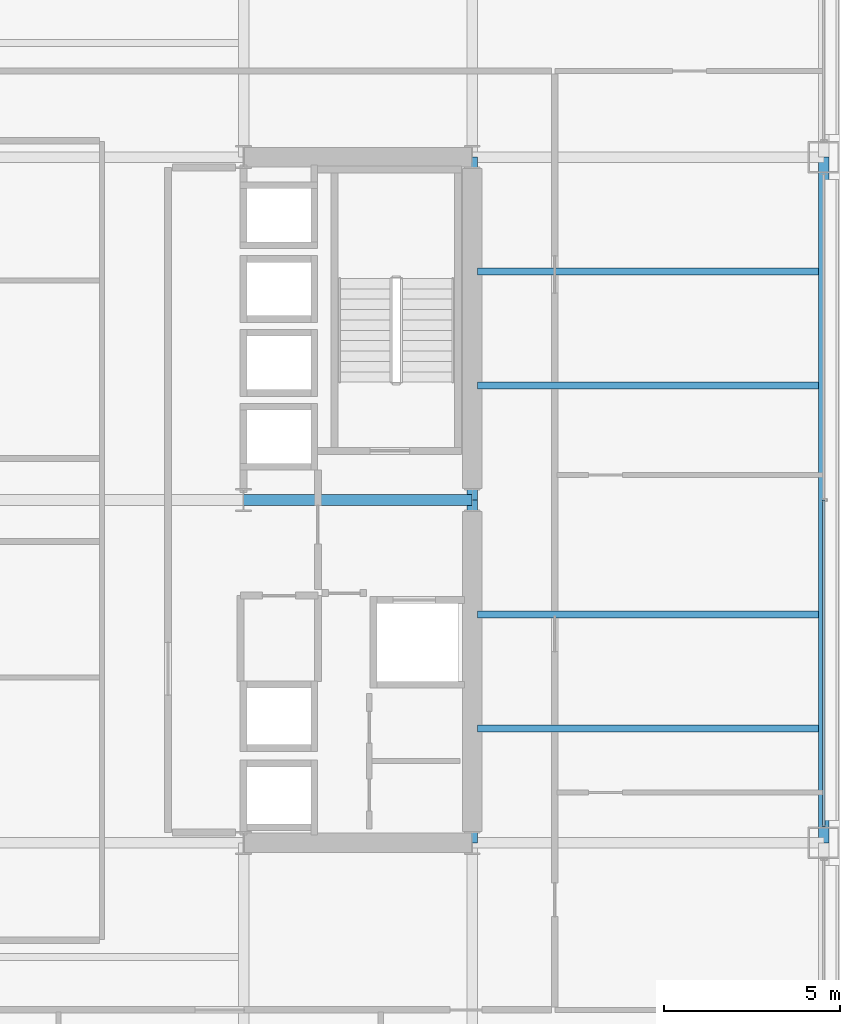
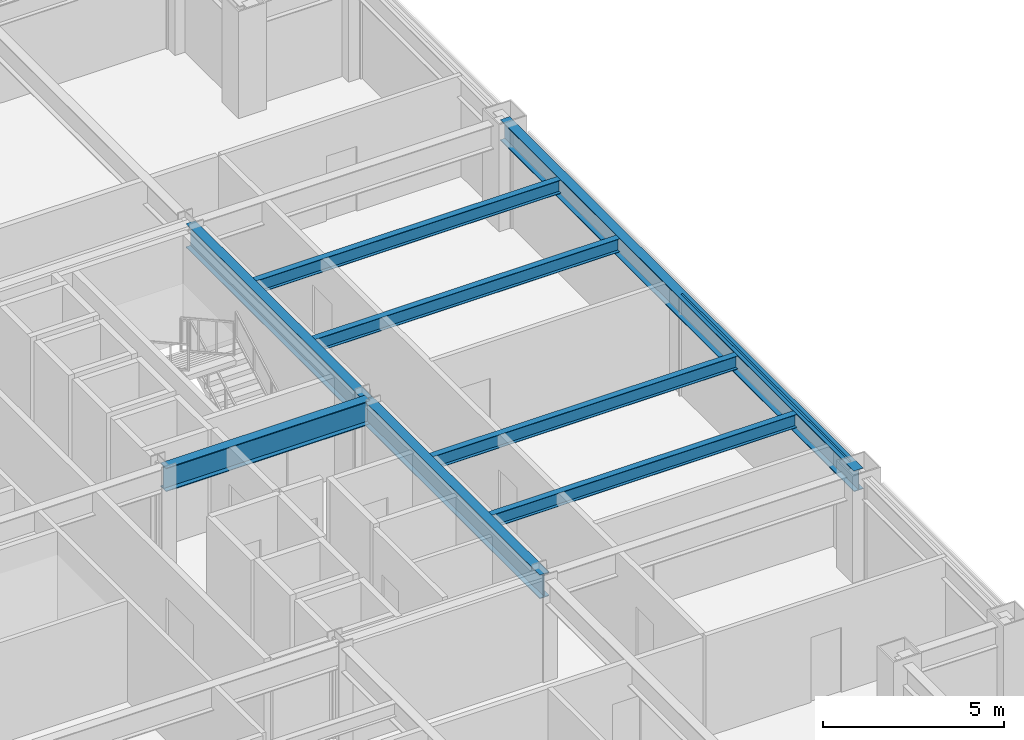
# One storey, part 11 of 29: 8 beams, 1 member, 1 element without a shape of its own.
"""IFC4 building model written with IfcOpenShell, lengths in metres."""

from ifc_helpers import new_model, si_unit, direction, frame, origin, origin_2d, place, context, subcontext, project, spatial, hollow_rectangle, i_section, extrude, material, layer, layer_set, material_profile, profile_set, type_object, element, aggregate, save


model = new_model("IFC4")

# Units and contexts
model_context = context("Model", 3, precision=1e-05, world=origin(), true_north=direction((0.0, 1.0)))
body_context = subcontext(model_context, "Body", "Model", "MODEL_VIEW")
ifc_project = project(units=[si_unit("LENGTHUNIT", "METRE"), si_unit("AREAUNIT", "SQUARE_METRE"), si_unit("VOLUMEUNIT", "CUBIC_METRE"), si_unit("PLANEANGLEUNIT", "RADIAN"), si_unit("MASSUNIT", "GRAM", prefix="KILO")], contexts=[model_context])

# Site, building, storey
site_placement = place(None, origin())
site = spatial("IfcSite", under=ifc_project, at=site_placement, CompositionType="ELEMENT")
building_placement = place(site_placement, origin())
building = spatial("IfcBuilding", under=site, at=building_placement, Name="Brelmoor Portico Tower", CompositionType="ELEMENT")
storey_placement = place(building_placement, frame((0.0, 0.0, 63.60009765625)))
storey = spatial("IfcBuildingStorey", under=building, at=storey_placement, Name="L16", CompositionType="ELEMENT", Elevation=63.60009765625)

# Beams
ifc_material_1 = material(Name="Steel Q355B", Category="steel")
ifc_material_profile_1 = material_profile(ifc_material_1, i_section(OverallWidth=0.199951171875, OverallDepth=0.449951171875, WebThickness=0.009033203125, FlangeThickness=0.013916015625, at=origin_2d()), Name="HN 450x200x9x14")
ifc_profile_set_1 = profile_set([ifc_material_profile_1], Name="Steel Q355B")
beam_type_1 = type_object("IfcBeamType", Name="BM-JS-450", PredefinedType="JOIST", material=ifc_profile_set_1)
for number, where, z_axis, x_axis, name in (
    (1, (14.699951171875, -6.5, 3.1748046875), (1.0, 0.0, 0.0), (0.0, 1.0, 0.0), "L16 Secondary Wing Joist JS-E09"),
    (2, (14.699951171875, -3.25, 3.1748046875), (1.0, 0.0, 0.0), (0.0, 1.0, 0.0), "L16 Secondary Wing Joist JS-E10"),
    (3, (14.699951171875, 3.25, 3.1748046875), (1.0, 0.0, 0.0), (0.0, 1.0, 0.0), "L16 Secondary Wing Joist JS-E11"),
    (4, (14.699951171875, 6.5, 3.1748046875), (1.0, 0.0, 0.0), (0.0, 1.0, 0.0), "L16 Secondary Wing Joist JS-E12"),
):
    element("IfcBeam", number, at=place(storey_placement, frame(where, z_axis=z_axis, x_axis=x_axis)), inside=storey, type_object=beam_type_1, Name=name, PredefinedType="JOIST", context=body_context, shape_type="SweptSolid", body=[
        extrude(i_section(OverallWidth=0.199951171875, OverallDepth=0.449951171875, WebThickness=0.009033203125, FlangeThickness=0.013916015625, at=origin_2d()), origin(), (0.0, 0.0, 1.0), 9.699951171875),
    ])
ifc_material_profile_2 = material_profile(ifc_material_1, i_section(OverallWidth=0.300048828125, OverallDepth=0.800048828125, WebThickness=0.013916015625, FlangeThickness=0.02587890625, at=origin_2d()), Name="HN 800x300x14x26")
ifc_profile_set_2 = profile_set([ifc_material_profile_2], Name="Steel Q355B")
beam_type_2 = type_object("IfcBeamType", Name="BM-PG-800", PredefinedType="BEAM", material=ifc_profile_set_2)
for number, where, z_axis, x_axis, name in (
    (5, (14.550048828125, -9.75, 3.0), (0.0, 1.0, 0.0), (-1.0, 0.0, 0.0), "L16 Primary Floor Girder PG-12"),
    (6, (14.550048828125, 0.0, 3.0), (0.0, 1.0, 0.0), (-1.0, 0.0, 0.0), "L16 Primary Floor Girder PG-13"),
):
    element("IfcBeam", number, at=place(storey_placement, frame(where, z_axis=z_axis, x_axis=x_axis)), inside=storey, type_object=beam_type_2, Name=name, PredefinedType="BEAM", context=body_context, shape_type="SweptSolid", body=[
        extrude(i_section(OverallWidth=0.300048828125, OverallDepth=0.800048828125, WebThickness=0.013916015625, FlangeThickness=0.02587890625, at=origin_2d()), origin(), (0.0, 0.0, 1.0), 9.75),
    ])
beam_1_placement = place(storey_placement, frame((8.050048828125, 0.0, 3.0), z_axis=(1.0, 0.0, 0.0), x_axis=(0.0, 1.0, 0.0)))
element("IfcBeam", 7, at=beam_1_placement, inside=storey, type_object=beam_type_2, Name="L16 Primary Floor Girder PG-26", PredefinedType="BEAM", context=body_context, shape_type="SweptSolid", body=[
    extrude(i_section(OverallWidth=0.300048828125, OverallDepth=0.800048828125, WebThickness=0.013916015625, FlangeThickness=0.02587890625, at=origin_2d()), origin(), (0.0, 0.0, 1.0), 6.5),
])
ifc_material_profile_3 = material_profile(ifc_material_1, i_section(OverallWidth=0.300048828125, OverallDepth=0.699951171875, WebThickness=0.012939453125, FlangeThickness=0.02392578125, at=origin_2d()), Name="HN 700x300x13x24")
ifc_profile_set_3 = profile_set([ifc_material_profile_3], Name="Steel Q355B")
beam_type_3 = type_object("IfcBeamType", Name="BM-SP-700", PredefinedType="SPANDREL", material=ifc_profile_set_3)
beam_2_placement = place(storey_placement, frame((24.550048828125, -9.75, 3.0498046875), z_axis=(0.0, 1.0, 0.0), x_axis=(-1.0, 0.0, 0.0)))
element("IfcBeam", 8, at=beam_2_placement, inside=storey, type_object=beam_type_3, Name="L16 Perimeter Spandrel Beam SP-23", PredefinedType="SPANDREL", context=body_context, shape_type="SweptSolid", body=[
    extrude(i_section(OverallWidth=0.300048828125, OverallDepth=0.699951171875, WebThickness=0.012939453125, FlangeThickness=0.02392578125, at=origin_2d()), origin(), (0.0, 0.0, 1.0), 19.5),
])

# Curtain wall, member
ifc_material_2 = material(Name="Anodised Aluminium Alloy 6063-T6", Category="aluminium")
ifc_layer = layer(ifc_material_2, 0.179931640625)
ifc_layer_set = layer_set([ifc_layer], Name="Anodised Aluminium Alloy 6063-T6")
curtain_wall_type = type_object("IfcCurtainWallType", Name="CW-TOWER-Z1-XB", PredefinedType="NOTDEFINED", material=ifc_layer_set)
curtain_wall_placement = place(storey_placement, origin())
curtain_wall = element("IfcCurtainWall", 9, at=curtain_wall_placement, inside=storey, type_object=curtain_wall_type, Name="L16 Curtain Wall CW-L16-04-2", PredefinedType="NOTDEFINED")
ifc_material_profile_4 = material_profile(ifc_material_2, hollow_rectangle(XDim=0.06494140625, YDim=0.139892578125, WallThickness=0.00390625, at=origin_2d()), Name="ALU TRANSOM 65x140")
ifc_profile_set_4 = profile_set([ifc_material_profile_4], Name="Anodised Aluminium Alloy 6063-T6")
member_type = type_object("IfcMemberType", Name="MB-CW-TRAN-140", PredefinedType="USERDEFINED", material=ifc_profile_set_4)
member_placement = place(storey_placement, frame((24.550048828125, -9.2900390625, 3.329833984375), z_axis=(0.0, 1.0, 0.0), x_axis=(-1.0, 0.0, 0.0)))
member = element("IfcMember", 10, at=member_placement, type_object=member_type, Name="CW-L16-04-2 Transom 1-00", ObjectType="TRANSOM", PredefinedType="USERDEFINED", context=body_context, shape_type="SweptSolid", body=[
    extrude(hollow_rectangle(XDim=0.06494140625, YDim=0.139892578125, WallThickness=0.00390625, at=origin_2d()), origin(), (0.0, 0.0, 1.0), 9.2900390625),
])
aggregate(curtain_wall, [member])

save(model, "model.ifc")
